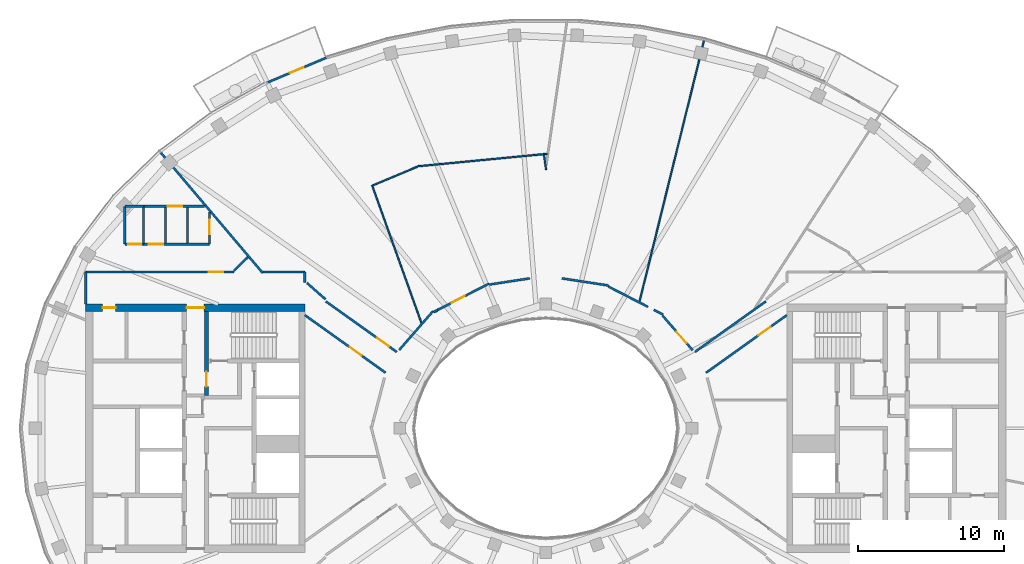
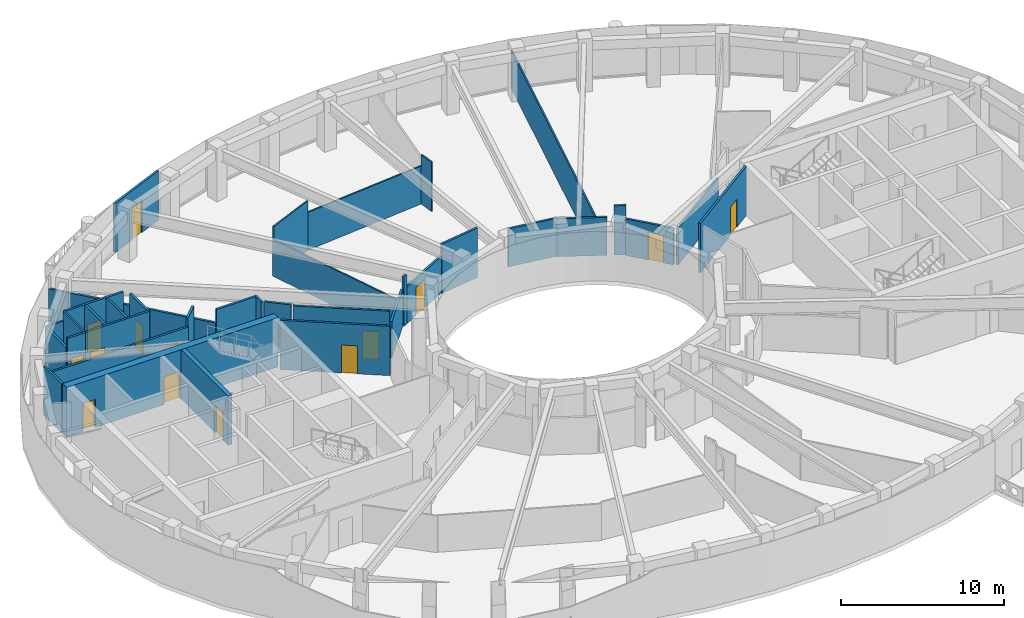
# One storey, part 9 of 18: 36 walls, 14 doors, 14 openings.
"""IFC4 building model written with IfcOpenShell, lengths in metres."""

from ifc_helpers import new_model, si_unit, direction, frame, frame_2d, origin, place, context, subcontext, project, spatial, rectangle, extrude, material, layer, layer_set, type_object, element, fill, save


model = new_model("IFC4")

# Units and contexts
model_context = context("Model", 3, precision=1e-05, world=origin(), true_north=direction((0.0, 1.0)))
body_context = subcontext(model_context, "Body", "Model", "MODEL_VIEW")
ifc_project = project(units=[si_unit("LENGTHUNIT", "METRE"), si_unit("AREAUNIT", "SQUARE_METRE"), si_unit("VOLUMEUNIT", "CUBIC_METRE"), si_unit("PLANEANGLEUNIT", "RADIAN"), si_unit("MASSUNIT", "GRAM", prefix="KILO")], contexts=[model_context])

# Site, building, storey
site_placement = place(None, origin())
site = spatial("IfcSite", under=ifc_project, at=site_placement, CompositionType="ELEMENT")
building_placement = place(site_placement, origin())
building = spatial("IfcBuilding", under=site, at=building_placement, Name="Noorbagh Ring Tower", CompositionType="ELEMENT")
storey_placement = place(building_placement, frame((0.0, 0.0, 319.0)))
storey = spatial("IfcBuildingStorey", under=building, at=storey_placement, Name="L69", CompositionType="ELEMENT", Elevation=319.0)

# Wall
ifc_material_1 = material(Name="Gypsum board on steel studs", Category="steel")
ifc_layer_1 = layer(ifc_material_1, 0.14990234375)
ifc_layer_set_1 = layer_set([ifc_layer_1], Name="Gypsum board on steel studs")
wall_type_1 = type_object("IfcWallType", Name="COMPARTMENT PARTITION 150 EI 60", PredefinedType="PARTITIONING", material=ifc_layer_set_1)
wall_1_placement = place(storey_placement, frame((-28.826904296875, 12.60009765625, 0.0), z_axis=(0.0, 0.0, 1.0), x_axis=(0.0, 1.0, 0.0)))
element("IfcWall", 1, at=wall_1_placement, inside=storey, type_object=wall_type_1, Name="L69/wall/P07", PredefinedType="PARTITIONING", context=body_context, shape_type="SweptSolid", body=[
    extrude(rectangle(XDim=2.595947265625, YDim=0.14990234375, at=frame_2d((1.2978515625, 0.0))), origin(), (0.0, 0.0, 1.0), 3.0),
])

# Wall, opening, door
wall_2_placement = place(storey_placement, frame((-28.826904296875, 12.60009765625, 0.0), z_axis=(0.0, 0.0, 1.0), x_axis=(1.0, 0.0, 0.0)))
wall_2 = element("IfcWall", 2, at=wall_2_placement, inside=storey, type_object=wall_type_1, Name="L69/wall/P08", PredefinedType="PARTITIONING", context=body_context, shape_type="SweptSolid", body=[
    extrude(rectangle(XDim=1.27587890625, YDim=0.14990234375, at=frame_2d((0.637939453125, 0.0))), origin(), (0.0, 0.0, 1.0), 3.699951171875),
])
opening_1_placement = place(wall_2_placement, frame((0.22607421875, 0.0, 0.0)))
opening_1 = element("IfcOpeningElement", 3, at=opening_1_placement, cuts=wall_2, Name="Opening D4", PredefinedType="OPENING", context=body_context, shape_type="SweptSolid", body=[
    extrude(rectangle(XDim=0.89990234375, YDim=2.10009765625, at=frame_2d((0.449951171875, 1.050048828125))), frame((0.0, 0.0849609375, 0.0), z_axis=(0.0, -1.0, 0.0), x_axis=(1.0, 0.0, 0.0)), (0.0, 0.0, 1.0), 0.169921875),
])
ifc_material_2 = material(Name="Timber, painted", Category="wood")
door_type_1 = type_object("IfcDoorType", Name="DOOR 900 X 2100 FD60", OperationType="SINGLE_SWING_LEFT", PredefinedType="DOOR", material=ifc_material_2)
door_1_placement = place(opening_1_placement, origin())
door_1 = element("IfcDoor", 4, at=door_1_placement, inside=storey, type_object=door_type_1, Name="L69-D05", OperationType="SINGLE_SWING_LEFT", OverallHeight=2.10009765625, OverallWidth=0.89990234375, PredefinedType="DOOR", context=body_context, shape_type="SweptSolid", body=[
    extrude(rectangle(XDim=0.89990234375, YDim=2.10009765625, at=frame_2d((0.449951171875, 1.050048828125))), frame((0.0, 0.02490234375, 0.0), z_axis=(0.0, -1.0, 0.0), x_axis=(1.0, 0.0, 0.0)), (0.0, 0.0, 1.0), 0.050048828125),
])
fill(opening_1, door_1)

# Walls
wall_3_placement = place(storey_placement, frame((-28.822998046875, 15.199951171875, 0.0), z_axis=(0.0, 0.0, 1.0), x_axis=(1.0, 0.0, 0.0)))
element("IfcWall", 5, at=wall_3_placement, inside=storey, type_object=wall_type_1, Name="L69/wall/P09", PredefinedType="PARTITIONING", context=body_context, shape_type="SweptSolid", body=[
    extrude(rectangle(XDim=1.27197265625, YDim=0.14990234375, at=frame_2d((0.635986328125, 0.0))), origin(), (0.0, 0.0, 1.0), 3.0),
])
wall_4_placement = place(storey_placement, frame((-27.551025390625, 12.60009765625, 0.0), z_axis=(0.0, 0.0, 1.0), x_axis=(0.0, 1.0, 0.0)))
element("IfcWall", 6, at=wall_4_placement, inside=storey, type_object=wall_type_1, Name="L69/wall/P10", PredefinedType="PARTITIONING", context=body_context, shape_type="SweptSolid", body=[
    extrude(rectangle(XDim=2.599853515625, YDim=0.14990234375, at=frame_2d((1.2998046875, 0.0))), origin(), (0.0, 0.0, 1.0), 3.699951171875),
])

# Wall, opening, door
ifc_material_3 = material(Name="Concrete C50/60", Category="concrete")
ifc_layer_2 = layer(ifc_material_3, 0.300048828125)
ifc_layer_set_2 = layer_set([ifc_layer_2], Name="Concrete C50/60")
wall_type_2 = type_object("IfcWallType", Name="CORE-WALL-300-C50-60-EI240", PredefinedType="SHEAR", material=ifc_layer_set_2)
wall_5_placement = place(storey_placement, frame((-23.22998046875, 2.25, 0.0), z_axis=(0.0, 0.0, 1.0), x_axis=(0.0, 1.0, 0.0)))
wall_5 = element("IfcWall", 7, at=wall_5_placement, inside=storey, type_object=wall_type_2, Name="Core wall W", PredefinedType="SHEAR", context=body_context, shape_type="SweptSolid", body=[
    extrude(rectangle(XDim=5.75, YDim=0.300048828125, at=frame_2d((2.875, 0.0))), origin(), (0.0, 0.0, 1.0), 3.699951171875),
])
opening_2_placement = place(wall_5_placement, frame((0.60009765625, 0.0, 0.0)))
opening_2 = element("IfcOpeningElement", 8, at=opening_2_placement, cuts=wall_5, Name="Opening L69-CW08", PredefinedType="OPENING", context=body_context, shape_type="SweptSolid", body=[
    extrude(rectangle(XDim=1.0, YDim=2.10009765625, at=frame_2d((0.5, 1.050048828125))), frame((0.0, 0.16015625, 0.0), z_axis=(0.0, -1.0, 0.0), x_axis=(1.0, 0.0, 0.0)), (0.0, 0.0, 1.0), 0.320068359375),
])
ifc_material_4 = material(Name="Steel door leaf", Category="steel")
door_type_2 = type_object("IfcDoorType", Name="CORE-DOOR-DVEST", OperationType="SINGLE_SWING_LEFT", PredefinedType="DOOR", material=ifc_material_4)
door_2_placement = place(opening_2_placement, origin())
door_2 = element("IfcDoor", 9, at=door_2_placement, inside=storey, type_object=door_type_2, Name="Stair vestibule door L69-CW08", OperationType="SINGLE_SWING_LEFT", OverallHeight=2.10009765625, OverallWidth=1.0, PredefinedType="DOOR", context=body_context, shape_type="SweptSolid", body=[
    extrude(rectangle(XDim=1.0, YDim=2.10009765625, at=frame_2d((0.5, 1.050048828125))), frame((0.0, 0.02490234375, 0.0), z_axis=(0.0, -1.0, 0.0), x_axis=(1.0, 0.0, 0.0)), (0.0, 0.0, 1.0), 0.050048828125),
])
fill(opening_2, door_2)

# Wall, openings, doors
ifc_material_5 = material(Name="Concrete C50/60", Category="concrete")
ifc_layer_3 = layer(ifc_material_5, 0.5)
ifc_layer_set_3 = layer_set([ifc_layer_3], Name="Concrete C50/60")
wall_type_3 = type_object("IfcWallType", Name="CORE-WALL-500-C50-60-EI240", PredefinedType="SHEAR", material=ifc_layer_set_3)
wall_6_placement = place(storey_placement, frame((-16.5, 8.25, 0.0), z_axis=(0.0, 0.0, 1.0), x_axis=(-1.0, 0.0, 0.0)))
wall_6 = element("IfcWall", 10, at=wall_6_placement, inside=storey, type_object=wall_type_3, Name="Core wall W", PredefinedType="SHEAR", context=body_context, shape_type="SweptSolid", body=[
    extrude(rectangle(XDim=15.0, YDim=0.5, at=frame_2d((7.5, 0.0))), origin(), (0.0, 0.0, 1.0), 3.699951171875),
])
opening_3_placement = place(wall_6_placement, frame((6.89990234375, 0.0, 0.0)))
opening_3 = element("IfcOpeningElement", 11, at=opening_3_placement, cuts=wall_6, Name="Opening L69-CW09", PredefinedType="OPENING", context=body_context, shape_type="SweptSolid", body=[
    extrude(rectangle(XDim=1.199951171875, YDim=2.10009765625, at=frame_2d((0.60009765625, 1.050048828125))), frame((0.0, 0.260009765625, 0.0), z_axis=(0.0, -1.0, 0.0), x_axis=(1.0, 0.0, 0.0)), (0.0, 0.0, 1.0), 0.52001953125),
])
opening_4_placement = place(wall_6_placement, frame((12.949951171875, 0.0, 0.0)))
opening_4 = element("IfcOpeningElement", 12, at=opening_4_placement, cuts=wall_6, Name="Opening L69-CW13", PredefinedType="OPENING", context=body_context, shape_type="SweptSolid", body=[
    extrude(rectangle(XDim=0.89990234375, YDim=2.10009765625, at=frame_2d((0.449951171875, 1.050048828125))), frame((0.0, 0.260009765625, 0.0), z_axis=(0.0, -1.0, 0.0), x_axis=(1.0, 0.0, 0.0)), (0.0, 0.0, 1.0), 0.52001953125),
])
ifc_material_6 = material(Name="Steel door leaf", Category="steel")
door_type_3 = type_object("IfcDoorType", Name="CORE-DOOR-DROOM", OperationType="SINGLE_SWING_LEFT", PredefinedType="DOOR", material=ifc_material_6)
door_3_placement = place(opening_4_placement, origin())
door_3 = element("IfcDoor", 13, at=door_3_placement, inside=storey, type_object=door_type_3, Name="Core room door L69-CW13", OperationType="SINGLE_SWING_RIGHT", OverallHeight=2.10009765625, OverallWidth=0.89990234375, PredefinedType="DOOR", context=body_context, shape_type="SweptSolid", body=[
    extrude(rectangle(XDim=0.89990234375, YDim=2.10009765625, at=frame_2d((0.449951171875, 1.050048828125))), frame((0.0, 0.02490234375, 0.0), z_axis=(0.0, -1.0, 0.0), x_axis=(1.0, 0.0, 0.0)), (0.0, 0.0, 1.0), 0.050048828125),
])
fill(opening_4, door_3)
ifc_material_7 = material(Name="Steel door leaf", Category="steel")
door_type_4 = type_object("IfcDoorType", Name="CORE-DOOR-PORT", OperationType="DOUBLE_DOOR_DOUBLE_SWING", PredefinedType="DOOR", material=ifc_material_7)
door_4_placement = place(opening_3_placement, origin())
door_4 = element("IfcDoor", 14, at=door_4_placement, inside=storey, type_object=door_type_4, Name="Core entrance door L69-CW09", OperationType="DOUBLE_DOOR_DOUBLE_SWING", OverallHeight=2.10009765625, OverallWidth=1.199951171875, PredefinedType="DOOR", context=body_context, shape_type="SweptSolid", body=[
    extrude(rectangle(XDim=1.199951171875, YDim=2.10009765625, at=frame_2d((0.60009765625, 1.050048828125))), frame((0.0, 0.02490234375, 0.0), z_axis=(0.0, -1.0, 0.0), x_axis=(1.0, 0.0, 0.0)), (0.0, 0.0, 1.0), 0.050048828125),
])
fill(opening_3, door_4)

# Wall
ifc_material_8 = material(Name="Gypsum board on steel studs", Category="steel")
ifc_layer_4 = layer(ifc_material_8, 0.14990234375)
ifc_layer_set_4 = layer_set([ifc_layer_4], Name="Gypsum board on steel studs")
wall_type_4 = type_object("IfcWallType", Name="CORRIDOR PARTITION 150 EI 30", PredefinedType="PARTITIONING", material=ifc_layer_set_4)
wall_7_placement = place(storey_placement, frame((-31.5, 8.5, 0.0), z_axis=(0.0, 0.0, 1.0), x_axis=(0.0, 1.0, 0.0)))
element("IfcWall", 15, at=wall_7_placement, inside=storey, type_object=wall_type_4, Name="L69/wall/P04", PredefinedType="PARTITIONING", context=body_context, shape_type="SweptSolid", body=[
    extrude(rectangle(XDim=2.199951171875, YDim=0.14990234375, at=frame_2d((1.10009765625, 0.0))), origin(), (0.0, 0.0, 1.0), 3.699951171875),
])

# Wall, opening, door
wall_8_placement = place(storey_placement, frame((-31.5, 10.699951171875, 0.0), z_axis=(0.0, 0.0, 1.0), x_axis=(1.0, 0.0, 0.0)))
wall_8 = element("IfcWall", 16, at=wall_8_placement, inside=storey, type_object=wall_type_4, Name="L69/wall/P05", PredefinedType="PARTITIONING", context=body_context, shape_type="SweptSolid", body=[
    extrude(rectangle(XDim=10.166015625, YDim=0.14990234375, at=frame_2d((5.0830078125, 0.0))), origin(), (0.0, 0.0, 1.0), 3.10009765625),
])
opening_5_placement = place(wall_8_placement, frame((8.407958984375, 0.0, 0.0)))
opening_5 = element("IfcOpeningElement", 17, at=opening_5_placement, cuts=wall_8, Name="Opening D1", PredefinedType="OPENING", context=body_context, shape_type="SweptSolid", body=[
    extrude(rectangle(XDim=1.0, YDim=2.10009765625, at=frame_2d((0.5, 1.050048828125))), frame((0.0, 0.0849609375, 0.0), z_axis=(0.0, -1.0, 0.0), x_axis=(1.0, 0.0, 0.0)), (0.0, 0.0, 1.0), 0.169921875),
])
ifc_material_9 = material(Name="Timber, painted", Category="wood")
door_type_5 = type_object("IfcDoorType", Name="DOOR 1000 X 2100 FD30", OperationType="SINGLE_SWING_LEFT", PredefinedType="DOOR", material=ifc_material_9)
door_5_placement = place(opening_5_placement, origin())
door_5 = element("IfcDoor", 18, at=door_5_placement, inside=storey, type_object=door_type_5, Name="L69-D01", OperationType="SINGLE_SWING_LEFT", OverallHeight=2.10009765625, OverallWidth=1.0, PredefinedType="DOOR", context=body_context, shape_type="SweptSolid", body=[
    extrude(rectangle(XDim=1.0, YDim=2.10009765625, at=frame_2d((0.5, 1.050048828125))), frame((0.0, 0.02490234375, 0.0), z_axis=(0.0, -1.0, 0.0), x_axis=(1.0, 0.0, 0.0)), (0.0, 0.0, 1.0), 0.050048828125),
])
fill(opening_5, door_5)

wall_9_placement = place(storey_placement, frame((-27.551025390625, 12.60009765625, 0.0), z_axis=(0.0, 0.0, 1.0), x_axis=(1.0, 0.0, 0.0)))
wall_9 = element("IfcWall", 19, at=wall_9_placement, inside=storey, type_object=wall_type_4, Name="L69/wall/P11", PredefinedType="PARTITIONING", context=body_context, shape_type="SweptSolid", body=[
    extrude(rectangle(XDim=4.52392578125, YDim=0.14990234375, at=frame_2d((2.261962890625, 0.0))), origin(), (0.0, 0.0, 1.0), 3.699951171875),
])
opening_6_placement = place(wall_9_placement, frame((0.35791015625, 0.0, 0.0)))
opening_6 = element("IfcOpeningElement", 20, at=opening_6_placement, cuts=wall_9, Name="Opening D3", PredefinedType="OPENING", context=body_context, shape_type="SweptSolid", body=[
    extrude(rectangle(XDim=1.0, YDim=2.10009765625, at=frame_2d((0.5, 1.050048828125))), frame((0.0, 0.0849609375, 0.0), z_axis=(0.0, -1.0, 0.0), x_axis=(1.0, 0.0, 0.0)), (0.0, 0.0, 1.0), 0.169921875),
])
ifc_material_10 = material(Name="Timber, painted", Category="wood")
door_type_6 = type_object("IfcDoorType", Name="DOOR 1000 X 2100 WC", OperationType="SINGLE_SWING_LEFT", PredefinedType="DOOR", material=ifc_material_10)
door_6_placement = place(opening_6_placement, origin())
door_6 = element("IfcDoor", 21, at=door_6_placement, inside=storey, type_object=door_type_6, Name="L69-D04", OperationType="SINGLE_SWING_RIGHT", OverallHeight=2.10009765625, OverallWidth=1.0, PredefinedType="DOOR", context=body_context, shape_type="SweptSolid", body=[
    extrude(rectangle(XDim=1.0, YDim=2.10009765625, at=frame_2d((0.5, 1.050048828125))), frame((0.0, 0.02490234375, 0.0), z_axis=(0.0, -1.0, 0.0), x_axis=(1.0, 0.0, 0.0)), (0.0, 0.0, 1.0), 0.050048828125),
])
fill(opening_6, door_6)

wall_10_placement = place(storey_placement, frame((-27.551025390625, 15.199951171875, 0.0), z_axis=(0.0, 0.0, 1.0), x_axis=(1.0, 0.0, 0.0)))
wall_10 = element("IfcWall", 22, at=wall_10_placement, inside=storey, type_object=wall_type_4, Name="L69/wall/P12", PredefinedType="PARTITIONING", context=body_context, shape_type="SweptSolid", body=[
    extrude(rectangle(XDim=4.192138671875, YDim=0.14990234375, at=frame_2d((2.09619140625, 0.0))), origin(), (0.0, 0.0, 1.0), 3.699951171875),
])
opening_7_placement = place(wall_10_placement, frame((1.657958984375, 0.0, 0.0)))
opening_7 = element("IfcOpeningElement", 23, at=opening_7_placement, cuts=wall_10, Name="Opening D3", PredefinedType="OPENING", context=body_context, shape_type="SweptSolid", body=[
    extrude(rectangle(XDim=1.0, YDim=2.10009765625, at=frame_2d((0.5, 1.050048828125))), frame((0.0, 0.0849609375, 0.0), z_axis=(0.0, -1.0, 0.0), x_axis=(1.0, 0.0, 0.0)), (0.0, 0.0, 1.0), 0.169921875),
])
door_7_placement = place(opening_7_placement, origin())
door_7 = element("IfcDoor", 24, at=door_7_placement, inside=storey, type_object=door_type_6, Name="L69-D03", OperationType="SINGLE_SWING_LEFT", OverallHeight=2.10009765625, OverallWidth=1.0, PredefinedType="DOOR", context=body_context, shape_type="SweptSolid", body=[
    extrude(rectangle(XDim=1.0, YDim=2.10009765625, at=frame_2d((0.5, 1.050048828125))), frame((0.0, 0.02490234375, 0.0), z_axis=(0.0, -1.0, 0.0), x_axis=(1.0, 0.0, 0.0)), (0.0, 0.0, 1.0), 0.050048828125),
])
fill(opening_7, door_7)

# Walls
wall_11_placement = place(storey_placement, frame((-26.428955078125, 18.946044921875, 0.0), z_axis=(0.0, 0.0, 1.0), x_axis=(0.646342728412, -0.763047231453, 0.0)))
element("IfcWall", 25, at=wall_11_placement, inside=storey, type_object=wall_type_4, Name="L69/wall/P13", PredefinedType="PARTITIONING", context=body_context, shape_type="SweptSolid", body=[
    extrude(rectangle(XDim=10.901123046875, YDim=0.14990234375, at=frame_2d((5.45068359375, 0.0))), origin(), (0.0, 0.0, 1.0), 2.75),
])
for number, where, z_axis, x_axis, name in (
    (26, (-26.04296875, 12.675048828125, 0.0), (0.0, 0.0, 1.0), (0.0, 1.0, 0.0), "L69/wall/P14"),
    (27, (-24.534912109375, 12.675048828125, 0.0), (0.0, 0.0, 1.0), (0.0, 1.0, 0.0), "L69/wall/P15"),
):
    element("IfcWall", number, at=place(storey_placement, frame(where, z_axis=z_axis, x_axis=x_axis)), inside=storey, type_object=wall_type_4, Name=name, PredefinedType="PARTITIONING", context=body_context, shape_type="SweptSolid", body=[
        extrude(rectangle(XDim=2.449951171875, YDim=0.14990234375, at=frame_2d((1.22509765625, 0.0))), origin(), (0.0, 0.0, 1.0), 3.699951171875),
    ])

# Wall, opening, door
wall_12_placement = place(storey_placement, frame((-23.027099609375, 12.60009765625, 0.0), z_axis=(0.0, 0.0, 1.0), x_axis=(0.0, 1.0, 0.0)))
wall_12 = element("IfcWall", 28, at=wall_12_placement, inside=storey, type_object=wall_type_4, Name="L69/wall/P16", PredefinedType="PARTITIONING", context=body_context, shape_type="SweptSolid", body=[
    extrude(rectangle(XDim=2.208984375, YDim=0.14990234375, at=frame_2d((1.1044921875, 0.0))), origin(), (0.0, 0.0, 1.0), 3.699951171875),
])
opening_8_placement = place(wall_12_placement, frame((0.675048828125, 0.0, 0.0)))
opening_8 = element("IfcOpeningElement", 29, at=opening_8_placement, cuts=wall_12, Name="Opening D3", PredefinedType="OPENING", context=body_context, shape_type="SweptSolid", body=[
    extrude(rectangle(XDim=1.0, YDim=2.10009765625, at=frame_2d((0.5, 1.050048828125))), frame((0.0, 0.0849609375, 0.0), z_axis=(0.0, -1.0, 0.0), x_axis=(1.0, 0.0, 0.0)), (0.0, 0.0, 1.0), 0.169921875),
])
door_8_placement = place(opening_8_placement, origin())
door_8 = element("IfcDoor", 30, at=door_8_placement, inside=storey, type_object=door_type_6, Name="L69-D02", OperationType="SINGLE_SWING_RIGHT", OverallHeight=2.10009765625, OverallWidth=1.0, PredefinedType="DOOR", context=body_context, shape_type="SweptSolid", body=[
    extrude(rectangle(XDim=1.0, YDim=2.10009765625, at=frame_2d((0.5, 1.050048828125))), frame((0.0, 0.02490234375, 0.0), z_axis=(0.0, -1.0, 0.0), x_axis=(1.0, 0.0, 0.0)), (0.0, 0.0, 1.0), 0.050048828125),
])
fill(opening_8, door_8)

# Walls
wall_13_placement = place(storey_placement, frame((-21.362060546875, 10.778076171875, 0.0), z_axis=(0.0, 0.0, 1.0), x_axis=(0.716871037277, 0.697205791652, 0.0)))
element("IfcWall", 31, at=wall_13_placement, inside=storey, type_object=wall_type_4, Name="L69/wall/P18", PredefinedType="PARTITIONING", context=body_context, shape_type="SweptSolid", body=[
    extrude(rectangle(XDim=1.3408203125, YDim=0.14990234375, at=frame_2d((0.67041015625, 0.0))), origin(), (0.0, 0.0, 1.0), 3.699951171875),
])
wall_14_placement = place(storey_placement, frame((-19.346923828125, 10.699951171875, 0.0), z_axis=(0.0, 0.0, 1.0), x_axis=(1.0, 0.0, 0.0)))
element("IfcWall", 32, at=wall_14_placement, inside=storey, type_object=wall_type_4, Name="L69/wall/P19", PredefinedType="PARTITIONING", context=body_context, shape_type="SweptSolid", body=[
    extrude(rectangle(XDim=2.846923828125, YDim=0.14990234375, at=frame_2d((1.42333984375, 0.0))), origin(), (0.0, 0.0, 1.0), 3.699951171875),
])
wall_15_placement = place(storey_placement, frame((-16.5, 9.964111328125, 0.0), z_axis=(0.0, 0.0, 1.0), x_axis=(0.0, 1.0, 0.0)))
element("IfcWall", 33, at=wall_15_placement, inside=storey, type_object=wall_type_4, Name="L69/wall/P23", PredefinedType="PARTITIONING", context=body_context, shape_type="SweptSolid", body=[
    extrude(rectangle(XDim=0.73583984375, YDim=0.14990234375, at=frame_2d((0.367919921875, 0.0))), origin(), (0.0, 0.0, 1.0), 3.699951171875),
])

# Wall, opening, door
wall_16_placement = place(storey_placement, frame((-16.5, 7.743896484375, 0.0), z_axis=(0.0, 0.0, 1.0), x_axis=(0.814095150002, -0.580731510032, 0.0)))
wall_16 = element("IfcWall", 34, at=wall_16_placement, inside=storey, type_object=wall_type_4, Name="L69/wall/P25", PredefinedType="PARTITIONING", context=body_context, shape_type="SweptSolid", body=[
    extrude(rectangle(XDim=6.79296875, YDim=0.14990234375, at=frame_2d((3.396484375, 0.0))), origin(), (0.0, 0.0, 1.0), 3.699951171875),
])
opening_9_placement = place(wall_16_placement, frame((3.77587890625, 0.0, 0.0)))
opening_9 = element("IfcOpeningElement", 35, at=opening_9_placement, cuts=wall_16, Name="Opening D1", PredefinedType="OPENING", context=body_context, shape_type="SweptSolid", body=[
    extrude(rectangle(XDim=1.0, YDim=2.10009765625, at=frame_2d((0.5, 1.050048828125))), frame((0.0, 0.0849609375, 0.0), z_axis=(0.0, -1.0, 0.0), x_axis=(1.0, 0.0, 0.0)), (0.0, 0.0, 1.0), 0.169921875),
])
door_9_placement = place(opening_9_placement, origin())
door_9 = element("IfcDoor", 36, at=door_9_placement, inside=storey, type_object=door_type_5, Name="L69-D18", OperationType="SINGLE_SWING_RIGHT", OverallHeight=2.10009765625, OverallWidth=1.0, PredefinedType="DOOR", context=body_context, shape_type="SweptSolid", body=[
    extrude(rectangle(XDim=1.0, YDim=2.10009765625, at=frame_2d((0.5, 1.050048828125))), frame((0.0, 0.02490234375, 0.0), z_axis=(0.0, -1.0, 0.0), x_axis=(1.0, 0.0, 0.0)), (0.0, 0.0, 1.0), 0.050048828125),
])
fill(opening_9, door_9)

wall_17_placement = place(storey_placement, frame((-15.06298828125, 8.68408203125, 0.0), z_axis=(0.0, 0.0, 1.0), x_axis=(0.814106730479, -0.580715275663, 0.0)))
wall_17 = element("IfcWall", 37, at=wall_17_placement, inside=storey, type_object=wall_type_4, Name="L69/wall/P27", PredefinedType="PARTITIONING", context=body_context, shape_type="SweptSolid", body=[
    extrude(rectangle(XDim=5.963623046875, YDim=0.14990234375, at=frame_2d((2.98193359375, 0.0))), origin(), (0.0, 0.0, 1.0), 3.699951171875),
])
opening_10_placement = place(wall_17_placement, frame((4.3134765625, 0.0, 0.0)))
opening_10 = element("IfcOpeningElement", 38, at=opening_10_placement, cuts=wall_17, Name="Opening D1", PredefinedType="OPENING", context=body_context, shape_type="SweptSolid", body=[
    extrude(rectangle(XDim=1.0, YDim=2.10009765625, at=frame_2d((0.5, 1.050048828125))), frame((0.0, 0.0849609375, 0.0), z_axis=(0.0, -1.0, 0.0), x_axis=(1.0, 0.0, 0.0)), (0.0, 0.0, 1.0), 0.169921875),
])
door_10_placement = place(opening_10_placement, origin())
door_10 = element("IfcDoor", 39, at=door_10_placement, inside=storey, type_object=door_type_5, Name="L69-D09", OperationType="SINGLE_SWING_LEFT", OverallHeight=2.10009765625, OverallWidth=1.0, PredefinedType="DOOR", context=body_context, shape_type="SweptSolid", body=[
    extrude(rectangle(XDim=1.0, YDim=2.10009765625, at=frame_2d((0.5, 1.050048828125))), frame((0.0, 0.02490234375, 0.0), z_axis=(0.0, -1.0, 0.0), x_axis=(1.0, 0.0, 0.0)), (0.0, 0.0, 1.0), 0.050048828125),
])
fill(opening_10, door_10)

# Walls
wall_18_placement = place(storey_placement, frame((-10.04296875, 5.35107421875, 0.0), z_axis=(0.0, 0.0, 1.0), x_axis=(0.656624899746, 0.754217303589, 0.0)))
element("IfcWall", 40, at=wall_18_placement, inside=storey, type_object=wall_type_4, Name="L69/wall/P35", PredefinedType="PARTITIONING", context=body_context, shape_type="SweptSolid", body=[
    extrude(rectangle(XDim=3.534912109375, YDim=0.14990234375, at=frame_2d((1.767578125, 0.0))), origin(), (0.0, 0.0, 1.0), 2.75),
])
wall_19_placement = place(storey_placement, frame((-7.674072265625, 7.95703125, 0.0), z_axis=(0.0, 0.0, 1.0), x_axis=(0.888323550582, 0.459218106657, 0.0)))
element("IfcWall", 41, at=wall_19_placement, inside=storey, type_object=wall_type_4, Name="L69/wall/P39", PredefinedType="PARTITIONING", context=body_context, shape_type="SweptSolid", body=[
    extrude(rectangle(XDim=0.32421875, YDim=0.14990234375, at=frame_2d((0.162109375, 0.0))), origin(), (0.0, 0.0, 1.0), 3.699951171875),
])

# Wall, opening, door
wall_20_placement = place(storey_placement, frame((-7.389892578125, 8.10302734375, 0.0), z_axis=(0.0, 0.0, 1.0), x_axis=(0.889390271787, 0.457148711527, 0.0)))
wall_20 = element("IfcWall", 42, at=wall_20_placement, inside=storey, type_object=wall_type_4, Name="L69/wall/P41", PredefinedType="PARTITIONING", context=body_context, shape_type="SweptSolid", body=[
    extrude(rectangle(XDim=3.9306640625, YDim=0.14990234375, at=frame_2d((1.96533203125, 0.0))), origin(), (0.0, 0.0, 1.0), 2.75),
])
opening_11_placement = place(wall_20_placement, frame((1.066162109375, 0.0, 0.0)))
opening_11 = element("IfcOpeningElement", 43, at=opening_11_placement, cuts=wall_20, Name="Opening D1", PredefinedType="OPENING", context=body_context, shape_type="SweptSolid", body=[
    extrude(rectangle(XDim=1.0, YDim=2.10009765625, at=frame_2d((0.5, 1.050048828125))), frame((0.0, 0.0849609375, 0.0), z_axis=(0.0, -1.0, 0.0), x_axis=(1.0, 0.0, 0.0)), (0.0, 0.0, 1.0), 0.169921875),
])
door_11_placement = place(opening_11_placement, origin())
door_11 = element("IfcDoor", 44, at=door_11_placement, inside=storey, type_object=door_type_5, Name="L69-D10", OperationType="SINGLE_SWING_RIGHT", OverallHeight=2.10009765625, OverallWidth=1.0, PredefinedType="DOOR", context=body_context, shape_type="SweptSolid", body=[
    extrude(rectangle(XDim=1.0, YDim=2.10009765625, at=frame_2d((0.5, 1.050048828125))), frame((0.0, 0.02490234375, 0.0), z_axis=(0.0, -1.0, 0.0), x_axis=(1.0, 0.0, 0.0)), (0.0, 0.0, 1.0), 0.050048828125),
])
fill(opening_11, door_11)

# Walls
wall_21_placement = place(storey_placement, frame((-3.873046875, 9.833984375, 0.0), z_axis=(0.0, 0.0, 1.0), x_axis=(0.988436903755, 0.151632738202, 0.0)))
element("IfcWall", 45, at=wall_21_placement, inside=storey, type_object=wall_type_4, Name="L69/wall/P42", PredefinedType="PARTITIONING", context=body_context, shape_type="SweptSolid", body=[
    extrude(rectangle(XDim=2.8095703125, YDim=0.14990234375, at=frame_2d((1.40478515625, 0.0))), origin(), (0.0, 0.0, 1.0), 3.699951171875),
])
wall_22_placement = place(storey_placement, frame((1.095947265625, 10.260009765625, 0.0), z_axis=(0.0, 0.0, 1.0), x_axis=(0.988487324954, -0.151303695941, 0.0)))
element("IfcWall", 46, at=wall_22_placement, inside=storey, type_object=wall_type_4, Name="L69/wall/P55", PredefinedType="PARTITIONING", context=body_context, shape_type="SweptSolid", body=[
    extrude(rectangle(XDim=3.238525390625, YDim=0.14990234375, at=frame_2d((1.619140625, 0.0))), origin(), (0.0, 0.0, 1.0), 2.85009765625),
])
wall_23_placement = place(storey_placement, frame((4.27587890625, 9.7041015625, 0.0), z_axis=(0.0, 0.0, 1.0), x_axis=(0.889338682752, -0.45724906491, 0.0)))
element("IfcWall", 47, at=wall_23_placement, inside=storey, type_object=wall_type_4, Name="L69/wall/P59", PredefinedType="PARTITIONING", context=body_context, shape_type="SweptSolid", body=[
    extrude(rectangle(XDim=3.06640625, YDim=0.14990234375, at=frame_2d((1.533203125, 0.0))), origin(), (0.0, 0.0, 1.0), 2.85009765625),
])
wall_24_placement = place(storey_placement, frame((7.385986328125, 8.10595703125, 0.0), z_axis=(0.0, 0.0, 1.0), x_axis=(0.888883911649, -0.458132504426, 0.0)))
element("IfcWall", 48, at=wall_24_placement, inside=storey, type_object=wall_type_4, Name="L69/wall/P63", PredefinedType="PARTITIONING", context=body_context, shape_type="SweptSolid", body=[
    extrude(rectangle(XDim=0.731201171875, YDim=0.14990234375, at=frame_2d((0.36572265625, 0.0))), origin(), (0.0, 0.0, 1.0), 3.699951171875),
])

# Wall, opening, door
wall_25_placement = place(storey_placement, frame((7.988037109375, 7.7109375, 0.0), z_axis=(0.0, 0.0, 1.0), x_axis=(0.656702027819, -0.754150148616, 0.0)))
wall_25 = element("IfcWall", 49, at=wall_25_placement, inside=storey, type_object=wall_type_4, Name="L69/wall/P65", PredefinedType="PARTITIONING", context=body_context, shape_type="SweptSolid", body=[
    extrude(rectangle(XDim=3.129150390625, YDim=0.14990234375, at=frame_2d((1.564453125, 0.0))), origin(), (0.0, 0.0, 1.0), 2.75),
])
opening_12_placement = place(wall_25_placement, frame((1.479248046875, 0.0, 0.0)))
opening_12 = element("IfcOpeningElement", 50, at=opening_12_placement, cuts=wall_25, Name="Opening D1", PredefinedType="OPENING", context=body_context, shape_type="SweptSolid", body=[
    extrude(rectangle(XDim=1.0, YDim=2.10009765625, at=frame_2d((0.5, 1.050048828125))), frame((0.0, 0.0849609375, 0.0), z_axis=(0.0, -1.0, 0.0), x_axis=(1.0, 0.0, 0.0)), (0.0, 0.0, 1.0), 0.169921875),
])
door_12_placement = place(opening_12_placement, origin())
door_12 = element("IfcDoor", 51, at=door_12_placement, inside=storey, type_object=door_type_5, Name="L69-D11", OperationType="SINGLE_SWING_LEFT", OverallHeight=2.10009765625, OverallWidth=1.0, PredefinedType="DOOR", context=body_context, shape_type="SweptSolid", body=[
    extrude(rectangle(XDim=1.0, YDim=2.10009765625, at=frame_2d((0.5, 1.050048828125))), frame((0.0, 0.02490234375, 0.0), z_axis=(0.0, -1.0, 0.0), x_axis=(1.0, 0.0, 0.0)), (0.0, 0.0, 1.0), 0.050048828125),
])
fill(opening_12, door_12)

# Wall
wall_26_placement = place(storey_placement, frame((10.2080078125, 5.220947265625, 0.0), z_axis=(0.0, 0.0, 1.0), x_axis=(0.814106730479, 0.580715275663, 0.0)))
element("IfcWall", 52, at=wall_26_placement, inside=storey, type_object=wall_type_4, Name="L69/wall/P67", PredefinedType="PARTITIONING", context=body_context, shape_type="SweptSolid", body=[
    extrude(rectangle(XDim=5.963623046875, YDim=0.14990234375, at=frame_2d((2.98193359375, 0.0))), origin(), (0.0, 0.0, 1.0), 2.75),
])

# Wall, opening, door
wall_27_placement = place(storey_placement, frame((10.969970703125, 3.799072265625, 0.0), z_axis=(0.0, 0.0, 1.0), x_axis=(0.814095150002, 0.580731510032, 0.0)))
wall_27 = element("IfcWall", 53, at=wall_27_placement, inside=storey, type_object=wall_type_4, Name="L69/wall/P69", PredefinedType="PARTITIONING", context=body_context, shape_type="SweptSolid", body=[
    extrude(rectangle(XDim=6.79296875, YDim=0.14990234375, at=frame_2d((3.396484375, 0.0))), origin(), (0.0, 0.0, 1.0), 3.699951171875),
])
opening_13_placement = place(wall_27_placement, frame((4.39990234375, 0.0, 0.0)))
opening_13 = element("IfcOpeningElement", 54, at=opening_13_placement, cuts=wall_27, Name="Opening D1", PredefinedType="OPENING", context=body_context, shape_type="SweptSolid", body=[
    extrude(rectangle(XDim=1.0, YDim=2.10009765625, at=frame_2d((0.5, 1.050048828125))), frame((0.0, 0.0849609375, 0.0), z_axis=(0.0, -1.0, 0.0), x_axis=(1.0, 0.0, 0.0)), (0.0, 0.0, 1.0), 0.169921875),
])
door_13_placement = place(opening_13_placement, origin())
door_13 = element("IfcDoor", 55, at=door_13_placement, inside=storey, type_object=door_type_5, Name="L69-D20", OperationType="SINGLE_SWING_RIGHT", OverallHeight=2.10009765625, OverallWidth=1.0, PredefinedType="DOOR", context=body_context, shape_type="SweptSolid", body=[
    extrude(rectangle(XDim=1.0, YDim=2.10009765625, at=frame_2d((0.5, 1.050048828125))), frame((0.0, 0.02490234375, 0.0), z_axis=(0.0, -1.0, 0.0), x_axis=(1.0, 0.0, 0.0)), (0.0, 0.0, 1.0), 0.050048828125),
])
fill(opening_13, door_13)

# Wall
wall_28_placement = place(storey_placement, frame((-16.35205078125, 9.94189453125, 0.0), z_axis=(0.0, 0.0, 1.0), x_axis=(0.750621325629, -0.660732642989, 0.0)))
element("IfcWall", 56, at=wall_28_placement, inside=storey, type_object=wall_type_4, Name="L69/wall/P88", PredefinedType="PARTITIONING", context=body_context, shape_type="SweptSolid", body=[
    extrude(rectangle(XDim=1.68115234375, YDim=0.14990234375, at=frame_2d((0.840576171875, 0.0))), origin(), (0.0, 0.0, 1.0), 3.699951171875),
])

# Wall, opening, door
ifc_material_11 = material(Name="Insulated aluminium clad panel", Category="aluminium")
ifc_layer_5 = layer(ifc_material_11, 0.14990234375)
ifc_layer_set_5 = layer_set([ifc_layer_5], Name="Insulated aluminium clad panel")
wall_type_5 = type_object("IfcWallType", Name="ENV-WALL-DOOR", PredefinedType="STANDARD", material=ifc_layer_set_5)
wall_29_placement = place(storey_placement, frame((-15.017822265625, 25.368896484375, 0.0), z_axis=(0.0, 0.0, 1.0), x_axis=(-0.921816985161, -0.387625393736, 0.0)))
wall_29 = element("IfcWall", 57, at=wall_29_placement, inside=storey, type_object=wall_type_5, Name="Balcony door wall chord 16", PredefinedType="STANDARD", context=body_context, shape_type="SweptSolid", body=[
    extrude(rectangle(XDim=4.42578125, YDim=0.14990234375, at=frame_2d((2.212890625, 0.0))), origin(), (0.0, 0.0, 1.0), 3.699951171875),
])
opening_14_placement = place(wall_29_placement, frame((1.712890625, 0.0, 0.0)))
opening_14 = element("IfcOpeningElement", 58, at=opening_14_placement, cuts=wall_29, Name="Opening D-BL", PredefinedType="OPENING", context=body_context, shape_type="SweptSolid", body=[
    extrude(rectangle(XDim=1.0, YDim=2.39990234375, at=frame_2d((0.5, 1.199951171875))), frame((0.0, 0.0849609375, 0.0), z_axis=(0.0, -1.0, 0.0), x_axis=(1.0, 0.0, 0.0)), (0.0, 0.0, 1.0), 0.169921875),
])
ifc_material_12 = material(Name="Aluminium and glass", Category="aluminium")
door_type_7 = type_object("IfcDoorType", Name="ENV-DOOR-BALCONY", OperationType="SINGLE_SWING_LEFT", PredefinedType="DOOR", material=ifc_material_12)
door_14_placement = place(opening_14_placement, origin())
door_14 = element("IfcDoor", 59, at=door_14_placement, inside=storey, type_object=door_type_7, Name="Balcony door chord 16", OperationType="SINGLE_SWING_RIGHT", OverallHeight=2.39990234375, OverallWidth=1.0, PredefinedType="DOOR", context=body_context, shape_type="SweptSolid", body=[
    extrude(rectangle(XDim=1.0, YDim=2.39990234375, at=frame_2d((0.5, 1.199951171875))), frame((0.0, 0.02490234375, 0.0), z_axis=(0.0, -1.0, 0.0), x_axis=(1.0, 0.0, 0.0)), (0.0, 0.0, 1.0), 0.050048828125),
])
fill(opening_14, door_14)

# Walls
ifc_material_13 = material(Name="Gypsum board on steel studs", Category="steel")
ifc_layer_6 = layer(ifc_material_13, 0.10009765625)
ifc_layer_set_6 = layer_set([ifc_layer_6], Name="Gypsum board on steel studs")
wall_type_6 = type_object("IfcWallType", Name="PARTITION 100 GYPSUM", PredefinedType="PARTITIONING", material=ifc_layer_set_6)
wall_30_placement = place(storey_placement, frame((-11.89111328125, 16.60205078125, 0.0), z_axis=(0.0, 0.0, 1.0), x_axis=(0.921418659734, 0.388571297827, 0.0)))
element("IfcWall", 60, at=wall_30_placement, inside=storey, type_object=wall_type_6, Name="L69/wall/P30", PredefinedType="PARTITIONING", context=body_context, shape_type="SweptSolid", body=[
    extrude(rectangle(XDim=3.458740234375, YDim=0.10009765625, at=frame_2d((1.7294921875, 0.0))), origin(), (0.0, 0.0, 1.0), 3.699951171875),
])
wall_31_placement = place(storey_placement, frame((-11.89111328125, 16.60205078125, 0.0), z_axis=(0.0, 0.0, 1.0), x_axis=(0.338375241261, -0.941011262473, 0.0)))
element("IfcWall", 61, at=wall_31_placement, inside=storey, type_object=wall_type_6, Name="L69/wall/P31", PredefinedType="PARTITIONING", context=body_context, shape_type="SweptSolid", body=[
    extrude(rectangle(XDim=9.97119140625, YDim=0.10009765625, at=frame_2d((4.985595703125, 0.0))), origin(), (0.0, 0.0, 1.0), 2.75),
])
wall_32_placement = place(storey_placement, frame((-8.69091796875, 17.93896484375, 0.0), z_axis=(0.0, 0.0, 1.0), x_axis=(0.995363362458, 0.096186156361, 0.0)))
element("IfcWall", 62, at=wall_32_placement, inside=storey, type_object=wall_type_6, Name="L69/wall/P37", PredefinedType="PARTITIONING", context=body_context, shape_type="SweptSolid", body=[
    extrude(rectangle(XDim=8.817626953125, YDim=0.10009765625, at=frame_2d((4.40869140625, 0.0))), origin(), (0.0, 0.0, 1.0), 2.85009765625),
])
wall_33_placement = place(storey_placement, frame((-0.126953125, 18.716064453125, 0.0), z_axis=(0.0, 0.0, 1.0), x_axis=(0.142086612789, -0.989854228897, 0.0)))
element("IfcWall", 63, at=wall_33_placement, inside=storey, type_object=wall_type_6, Name="L69/wall/P47", PredefinedType="PARTITIONING", context=body_context, shape_type="SweptSolid", body=[
    extrude(rectangle(XDim=1.027587890625, YDim=0.10009765625, at=frame_2d((0.513671875, 0.0))), origin(), (0.0, 0.0, 1.0), 3.699951171875),
])
wall_34_placement = place(storey_placement, frame((6.41796875, 8.69189453125, 0.0), z_axis=(0.0, 0.0, 1.0), x_axis=(0.239813663249, 0.970818936218, 0.0)))
element("IfcWall", 64, at=wall_34_placement, inside=storey, type_object=wall_type_6, Name="L69/wall/P61", PredefinedType="PARTITIONING", context=body_context, shape_type="SweptSolid", body=[
    extrude(rectangle(XDim=18.49365234375, YDim=0.10009765625, at=frame_2d((9.246826171875, 0.0))), origin(), (0.0, 0.0, 1.0), 2.85009765625),
])

save(model, "model.ifc")
